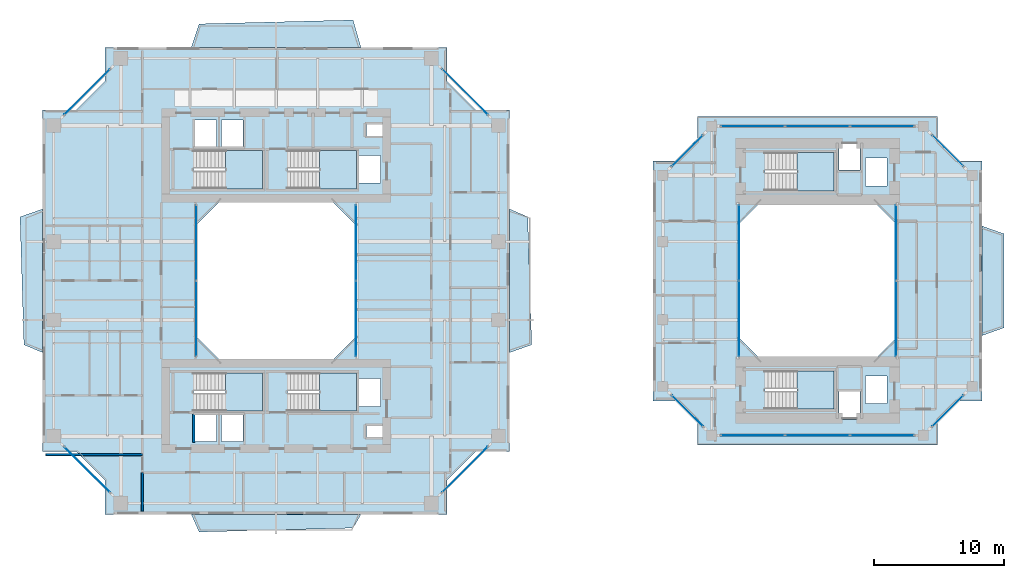
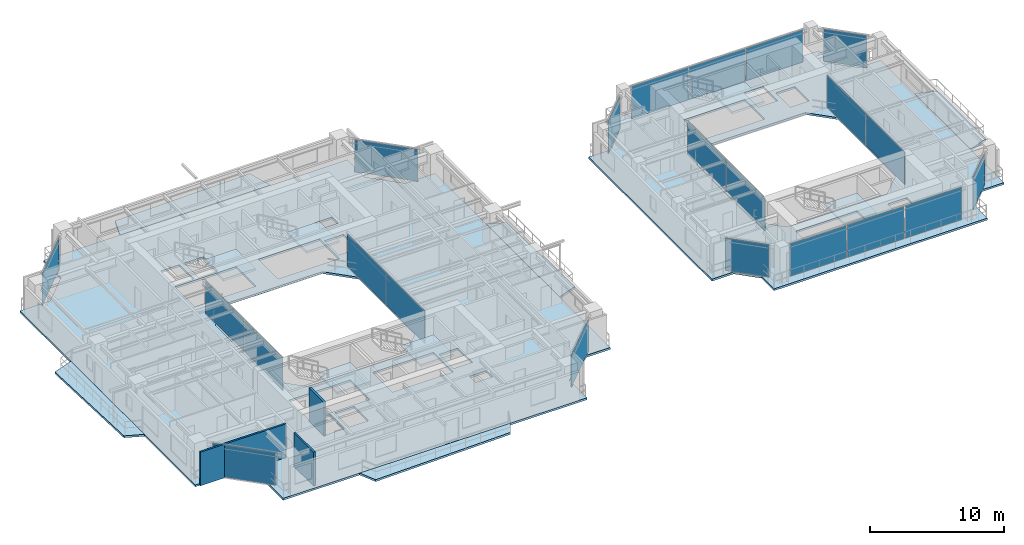
# One storey, part 13 of 24: 22 plates, 13 slabs, 3 walls, 20 elements without a shape of their own.
"""IFC4 building model written with IfcOpenShell, lengths in metres."""

from ifc_helpers import new_model, si_unit, direction, frame, frame_2d, origin, origin_2d, place, context, subcontext, project, spatial, polyline, rectangle, outline, extrude, source, transform, mapped, material, layer, layer_set, type_object, element, aggregate, save


model = new_model("IFC4")

# Units and contexts
model_context = context("Model", 3, precision=1e-05, world=origin(), true_north=direction((0.0, 1.0)))
body_context = subcontext(model_context, "Body", "Model", "MODEL_VIEW")
ifc_project = project(units=[si_unit("LENGTHUNIT", "METRE"), si_unit("AREAUNIT", "SQUARE_METRE"), si_unit("VOLUMEUNIT", "CUBIC_METRE"), si_unit("PLANEANGLEUNIT", "RADIAN"), si_unit("MASSUNIT", "GRAM", prefix="KILO"), si_unit("THERMODYNAMICTEMPERATUREUNIT", "KELVIN"), si_unit("POWERUNIT", "WATT")], contexts=[model_context])

# Site, building, storey
site_placement = place(None, origin())
site = spatial("IfcSite", under=ifc_project, at=site_placement, CompositionType="ELEMENT")
building_placement = place(site_placement, origin())
building = spatial("IfcBuilding", under=site, at=building_placement, Name="Qiaomeng Ring Towers", CompositionType="ELEMENT")
storey_placement = place(building_placement, frame((0.0, 0.0, 106.75)))
storey = spatial("IfcBuildingStorey", under=building, at=storey_placement, Name="L30", CompositionType="ELEMENT", Elevation=106.75)

# Slabs
ifc_material_1 = material(Name="Concrete C40", Category="concrete")
ifc_layer_1 = layer(ifc_material_1, 0.179931640625, Name="Concrete C40")
ifc_layer_set_1 = layer_set([ifc_layer_1], Name="Concrete C40")
slab_type_1 = type_object("IfcSlabType", Name="STR-SL-180", PredefinedType="FLOOR", material=ifc_layer_set_1)
slab_1_placement = place(storey_placement, frame((0.0, 0.0, -0.179931640625)))
element("IfcSlab", 1, at=slab_1_placement, inside=storey, type_object=slab_type_1, Name="L30 Tower 1 Annular Floor Slab", PredefinedType="FLOOR", context=body_context, shape_type="SweptSolid", body=[
    extrude(outline(polyline([(5.89990234375, 5.10009765625), (32.10009765625, 5.10009765625), (32.10009765625, 7.699951171875), (34.300048828125, 9.89990234375), (36.89990234375, 9.89990234375), (36.89990234375, 36.10009765625), (34.300048828125, 36.10009765625), (32.10009765625, 38.300048828125), (32.10009765625, 40.89990234375), (5.89990234375, 40.89990234375), (5.89990234375, 38.300048828125), (3.699951171875, 36.10009765625), (1.10009765625, 36.10009765625), (1.10009765625, 9.89990234375), (3.699951171875, 9.89990234375), (5.89990234375, 7.699951171875), (5.89990234375, 5.10009765625)]), holes=[polyline([(12.780029296875, 10.679931640625), (12.780029296875, 12.820068359375), (14.419921875, 12.820068359375), (14.419921875, 10.679931640625), (12.780029296875, 10.679931640625)]), polyline([(14.830078125, 12.820068359375), (16.469970703125, 12.820068359375), (16.469970703125, 10.679931640625), (14.830078125, 10.679931640625), (14.830078125, 12.820068359375)]), polyline([(12.679931640625, 15.949951171875), (17.949951171875, 15.949951171875), (17.949951171875, 13.010009765625), (12.679931640625, 13.010009765625), (12.679931640625, 15.949951171875)]), polyline([(23.199951171875, 29.199951171875), (25.199951171875, 27.199951171875), (25.199951171875, 18.800048828125), (23.199951171875, 16.800048828125), (14.800048828125, 16.800048828125), (12.800048828125, 18.800048828125), (12.800048828125, 27.199951171875), (14.800048828125, 29.199951171875), (23.199951171875, 29.199951171875)]), polyline([(12.679931640625, 32.989990234375), (17.949951171875, 32.989990234375), (17.949951171875, 30.050048828125), (12.679931640625, 30.050048828125), (12.679931640625, 32.989990234375)]), polyline([(12.780029296875, 35.320068359375), (14.419921875, 35.320068359375), (14.419921875, 33.179931640625), (12.780029296875, 33.179931640625), (12.780029296875, 35.320068359375)]), polyline([(14.830078125, 33.179931640625), (14.830078125, 35.320068359375), (16.469970703125, 35.320068359375), (16.469970703125, 33.179931640625), (14.830078125, 33.179931640625)]), polyline([(25.919921875, 11.89990234375), (27.360107421875, 11.89990234375), (27.360107421875, 11.0), (25.919921875, 11.0), (25.919921875, 11.89990234375)]), polyline([(25.360107421875, 15.52001953125), (27.0, 15.52001953125), (27.0, 13.3798828125), (25.360107421875, 13.3798828125), (25.360107421875, 15.52001953125)]), polyline([(19.8798828125, 15.949951171875), (25.14990234375, 15.949951171875), (25.14990234375, 13.010009765625), (19.8798828125, 13.010009765625), (19.8798828125, 15.949951171875)]), polyline([(19.8798828125, 32.989990234375), (25.14990234375, 32.989990234375), (25.14990234375, 30.050048828125), (19.8798828125, 30.050048828125), (19.8798828125, 32.989990234375)]), polyline([(25.360107421875, 32.6201171875), (27.0, 32.6201171875), (27.0, 30.47998046875), (25.360107421875, 30.47998046875), (25.360107421875, 32.6201171875)]), polyline([(25.919921875, 35.0), (27.360107421875, 35.0), (27.360107421875, 34.10009765625), (25.919921875, 34.10009765625), (25.919921875, 35.0)])]), origin(), (0.0, 0.0, 1.0), 0.179931640625),
])
slab_2_placement = place(storey_placement, frame((0.0, 0.0, -0.179931640625)))
element("IfcSlab", 2, at=slab_2_placement, inside=storey, type_object=slab_type_1, Name="L30 Companion Tower 2 Annular Floor Slab", PredefinedType="FLOOR", context=body_context, shape_type="SweptSolid", body=[
    extrude(outline(polyline([(51.300048828125, 10.39990234375), (69.699951171875, 10.39990234375), (69.699951171875, 12.300048828125), (71.199951171875, 13.800048828125), (73.10009765625, 13.800048828125), (73.10009765625, 32.199951171875), (71.199951171875, 32.199951171875), (69.699951171875, 33.699951171875), (69.699951171875, 35.60009765625), (51.300048828125, 35.60009765625), (51.300048828125, 33.699951171875), (49.800048828125, 32.199951171875), (47.89990234375, 32.199951171875), (47.89990234375, 13.800048828125), (49.800048828125, 13.800048828125), (51.300048828125, 12.300048828125), (51.300048828125, 10.39990234375)]), holes=[polyline([(62.1298828125, 12.3798828125), (62.1298828125, 14.52001953125), (63.77001953125, 14.52001953125), (63.77001953125, 12.3798828125), (62.1298828125, 12.3798828125)]), polyline([(56.47998046875, 13.159912109375), (56.47998046875, 16.10009765625), (61.75, 16.10009765625), (61.75, 13.159912109375), (56.47998046875, 13.159912109375)]), polyline([(64.179931640625, 13.580078125), (64.179931640625, 15.719970703125), (65.820068359375, 15.719970703125), (65.820068359375, 13.580078125), (64.179931640625, 13.580078125)]), polyline([(64.800048828125, 29.10009765625), (66.60009765625, 27.300048828125), (66.60009765625, 18.699951171875), (64.800048828125, 16.89990234375), (56.199951171875, 16.89990234375), (54.39990234375, 18.699951171875), (54.39990234375, 27.300048828125), (56.199951171875, 29.10009765625), (64.800048828125, 29.10009765625)]), polyline([(64.179931640625, 30.280029296875), (64.179931640625, 32.419921875), (65.820068359375, 32.419921875), (65.820068359375, 30.280029296875), (64.179931640625, 30.280029296875)]), polyline([(56.47998046875, 32.840087890625), (61.75, 32.840087890625), (61.75, 29.89990234375), (56.47998046875, 29.89990234375), (56.47998046875, 32.840087890625)]), polyline([(62.1298828125, 33.6201171875), (63.77001953125, 33.6201171875), (63.77001953125, 31.47998046875), (62.1298828125, 31.47998046875), (62.1298828125, 33.6201171875)])]), origin(), (0.0, 0.0, 1.0), 0.179931640625),
])
ifc_layer_2 = layer(ifc_material_1, 0.179931640625, Name="Concrete C40")
ifc_layer_set_2 = layer_set([ifc_layer_2], Name="Concrete C40")
slab_type_2 = type_object("IfcSlabType", Name="STR-SL-BAL", PredefinedType="FLOOR", material=ifc_layer_set_2)
slab_3_placement = place(storey_placement, frame((0.0, 0.0, -0.179931640625)))
element("IfcSlab", 3, at=slab_3_placement, inside=storey, type_object=slab_type_2, Name="L30 Tower 1 S Faceted Balcony Slab", PredefinedType="FLOOR", context=body_context, shape_type="SweptSolid", body=[
    extrude(outline(polyline([(24.89990234375, 4.050048828125), (13.10009765625, 3.75), (12.5, 5.10009765625), (25.5, 5.10009765625), (24.89990234375, 4.050048828125)])), origin(), (0.0, 0.0, 1.0), 0.179931640625),
])
slab_4_placement = place(storey_placement, frame((0.0, 0.0, -0.179931640625)))
element("IfcSlab", 4, at=slab_4_placement, inside=storey, type_object=slab_type_2, Name="L30 Tower 1 E Faceted Balcony Slab", PredefinedType="FLOOR", context=body_context, shape_type="SweptSolid", body=[
    extrude(outline(polyline([(38.2900390625, 27.89990234375), (38.590087890625, 18.10009765625), (36.89990234375, 17.5), (36.89990234375, 28.5), (38.2900390625, 27.89990234375)])), origin(), (0.0, 0.0, 1.0), 0.179931640625),
])
slab_5_placement = place(storey_placement, frame((0.0, 0.0, -0.179931640625)))
element("IfcSlab", 5, at=slab_5_placement, inside=storey, type_object=slab_type_2, Name="L30 Tower 1 N Faceted Balcony Slab", PredefinedType="FLOOR", context=body_context, shape_type="SweptSolid", body=[
    extrude(outline(polyline([(12.5, 40.89990234375), (13.10009765625, 42.68994140625), (24.89990234375, 42.989990234375), (25.5, 40.89990234375), (12.5, 40.89990234375)])), origin(), (0.0, 0.0, 1.0), 0.179931640625),
])
slab_6_placement = place(storey_placement, frame((0.0, 0.0, -0.179931640625)))
element("IfcSlab", 6, at=slab_6_placement, inside=storey, type_object=slab_type_2, Name="L30 Tower 1 W Faceted Balcony Slab", PredefinedType="FLOOR", context=body_context, shape_type="SweptSolid", body=[
    extrude(outline(polyline([(-0.330078125, 18.10009765625), (-0.6298828125, 27.89990234375), (1.10009765625, 28.5), (1.10009765625, 17.5), (-0.330078125, 18.10009765625)])), origin(), (0.0, 0.0, 1.0), 0.179931640625),
])
slab_7_placement = place(storey_placement, frame((0.0, 0.0, -0.179931640625)))
element("IfcSlab", 7, at=slab_7_placement, inside=storey, type_object=slab_type_2, Name="L30 Companion East Faceted Balcony Slab", PredefinedType="FLOOR", context=body_context, shape_type="SweptSolid", body=[
    extrude(outline(polyline([(74.7900390625, 26.60009765625), (74.7900390625, 19.39990234375), (73.10009765625, 18.800048828125), (73.10009765625, 27.199951171875), (74.7900390625, 26.60009765625)])), origin(), (0.0, 0.0, 1.0), 0.179931640625),
])

# Stair, slab
ifc_material_2 = material(Name="Precast concrete C40", Category="concrete")
stair_type = type_object("IfcStairType", Name="ARC-ST-325", PredefinedType="HALF_TURN_STAIR", material=ifc_material_2)
stair_1_placement = place(storey_placement, origin())
stair_1 = element("IfcStair", 8, at=stair_1_placement, inside=storey, type_object=stair_type, Name="L30 Tower 1 North Stair 1", PredefinedType="HALF_TURN_STAIR")
ifc_layer_3 = layer(ifc_material_1, 0.199951171875, Name="Concrete C40")
ifc_layer_set_3 = layer_set([ifc_layer_3], Name="Concrete C40")
slab_type_3 = type_object("IfcSlabType", Name="STR-SL-LANDING", PredefinedType="LANDING", material=ifc_layer_set_3)
slab_8_placement = place(storey_placement, frame((0.0, 0.0, 1.425048828125)))
slab_8 = element("IfcSlab", 9, at=slab_8_placement, type_object=slab_type_3, Name="ST1 landing 1", PredefinedType="LANDING", context=body_context, shape_type="SweptSolid", body=[
    extrude(outline(polyline([(15.139892578125, 30.050048828125), (17.949951171875, 30.050048828125), (17.949951171875, 32.989990234375), (15.139892578125, 32.989990234375), (15.139892578125, 30.050048828125)])), origin(), (0.0, 0.0, 1.0), 0.199951171875),
])
aggregate(stair_1, [slab_8])

stair_2_placement = place(storey_placement, origin())
stair_2 = element("IfcStair", 10, at=stair_2_placement, inside=storey, type_object=stair_type, Name="L30 Tower 1 North Stair 2", PredefinedType="HALF_TURN_STAIR")
slab_9_placement = place(storey_placement, frame((0.0, 0.0, 1.425048828125)))
slab_9 = element("IfcSlab", 11, at=slab_9_placement, type_object=slab_type_3, Name="ST2 landing 1", PredefinedType="LANDING", context=body_context, shape_type="SweptSolid", body=[
    extrude(outline(polyline([(22.340087890625, 30.050048828125), (25.14990234375, 30.050048828125), (25.14990234375, 32.989990234375), (22.340087890625, 32.989990234375), (22.340087890625, 30.050048828125)])), origin(), (0.0, 0.0, 1.0), 0.199951171875),
])
aggregate(stair_2, [slab_9])

stair_3_placement = place(storey_placement, origin())
stair_3 = element("IfcStair", 12, at=stair_3_placement, inside=storey, type_object=stair_type, Name="L30 Tower 1 South Stair 3", PredefinedType="HALF_TURN_STAIR")
slab_10_placement = place(storey_placement, frame((0.0, 0.0, 1.425048828125)))
slab_10 = element("IfcSlab", 13, at=slab_10_placement, type_object=slab_type_3, Name="ST3 landing 1", PredefinedType="LANDING", context=body_context, shape_type="SweptSolid", body=[
    extrude(outline(polyline([(15.139892578125, 13.010009765625), (17.949951171875, 13.010009765625), (17.949951171875, 15.949951171875), (15.139892578125, 15.949951171875), (15.139892578125, 13.010009765625)])), origin(), (0.0, 0.0, 1.0), 0.199951171875),
])
aggregate(stair_3, [slab_10])

stair_4_placement = place(storey_placement, origin())
stair_4 = element("IfcStair", 14, at=stair_4_placement, inside=storey, type_object=stair_type, Name="L30 Tower 1 South Stair 4", PredefinedType="HALF_TURN_STAIR")
slab_11_placement = place(storey_placement, frame((0.0, 0.0, 1.425048828125)))
slab_11 = element("IfcSlab", 15, at=slab_11_placement, type_object=slab_type_3, Name="ST4 landing 1", PredefinedType="LANDING", context=body_context, shape_type="SweptSolid", body=[
    extrude(outline(polyline([(22.340087890625, 13.010009765625), (25.14990234375, 13.010009765625), (25.14990234375, 15.949951171875), (22.340087890625, 15.949951171875), (22.340087890625, 13.010009765625)])), origin(), (0.0, 0.0, 1.0), 0.199951171875),
])
aggregate(stair_4, [slab_11])

stair_5_placement = place(storey_placement, origin())
stair_5 = element("IfcStair", 16, at=stair_5_placement, inside=storey, type_object=stair_type, Name="L30 Companion North Stair 5", PredefinedType="HALF_TURN_STAIR")
slab_12_placement = place(storey_placement, frame((0.0, 0.0, 1.425048828125)))
slab_12 = element("IfcSlab", 17, at=slab_12_placement, type_object=slab_type_3, Name="ST5 landing 1", PredefinedType="LANDING", context=body_context, shape_type="SweptSolid", body=[
    extrude(outline(polyline([(58.93994140625, 29.89990234375), (61.75, 29.89990234375), (61.75, 32.840087890625), (58.93994140625, 32.840087890625), (58.93994140625, 29.89990234375)])), origin(), (0.0, 0.0, 1.0), 0.199951171875),
])
aggregate(stair_5, [slab_12])

stair_6_placement = place(storey_placement, origin())
stair_6 = element("IfcStair", 18, at=stair_6_placement, inside=storey, type_object=stair_type, Name="L30 Companion South Stair 6", PredefinedType="HALF_TURN_STAIR")
slab_13_placement = place(storey_placement, frame((0.0, 0.0, 1.425048828125)))
slab_13 = element("IfcSlab", 19, at=slab_13_placement, type_object=slab_type_3, Name="ST6 landing 1", PredefinedType="LANDING", context=body_context, shape_type="SweptSolid", body=[
    extrude(outline(polyline([(58.93994140625, 13.159912109375), (61.75, 13.159912109375), (61.75, 16.10009765625), (58.93994140625, 16.10009765625), (58.93994140625, 13.159912109375)])), origin(), (0.0, 0.0, 1.0), 0.199951171875),
])
aggregate(stair_6, [slab_13])

# Curtain wall, plates
ifc_material_3 = material(Name="Fluorocarbon dark-grey aluminium", Category="aluminium")
ifc_layer_4 = layer(ifc_material_3, 0.139892578125, Name="Fluorocarbon dark-grey aluminium")
ifc_layer_set_4 = layer_set([ifc_layer_4], Name="Fluorocarbon dark-grey aluminium")
curtain_wall_type_1 = type_object("IfcCurtainWallType", Name="ARC-CW-4", PredefinedType="NOTDEFINED", material=ifc_layer_set_4)
curtain_wall_1_placement = place(storey_placement, origin())
curtain_wall_1 = element("IfcCurtainWall", 20, at=curtain_wall_1_placement, inside=storey, type_object=curtain_wall_type_1, Name="L30 Curtain Wall CW4", PredefinedType="NOTDEFINED")
ifc_material_4 = material(Name="Low-E dark-grey laminated double glazing", Category="glass")
ifc_layer_5 = layer(ifc_material_4, 0.028076171875, Name="Low-E dark-grey laminated double glazing")
ifc_layer_set_5 = layer_set([ifc_layer_5], Name="Low-E dark-grey laminated double glazing")
plate_type = type_object("IfcPlateType", Name="ARC-CWP-DARK", PredefinedType="CURTAIN_PANEL", material=ifc_layer_set_5)
shared_shape_1 = source(origin(), body_context, "Body", "SweptSolid", [
    extrude(rectangle(XDim=5.75244140625, YDim=0.028076171875, at=origin_2d()), origin(), (0.0, 0.0, 1.0), 2.93994140625),
])
plate_1_placement = place(storey_placement, frame((12.8798828125, 20.09130859375, 0.06494140625), z_axis=(0.0, 0.0, 1.0), x_axis=(0.0, 1.0, 0.0)))
plate_1 = element("IfcPlate", 21, at=plate_1_placement, type_object=plate_type, Name="CW4 panel 1.1", PredefinedType="CURTAIN_PANEL", context=body_context, shape_type="MappedRepresentation", body=[
    mapped(shared_shape_1, transform((0.0, 0.0, 0.0), x_axis=(1.0, 0.0, 0.0), y_axis=(0.0, 1.0, 0.0), z_axis=(0.0, 0.0, 1.0), scale=1.0)),
])
plate_2_placement = place(storey_placement, frame((12.8798828125, 25.90869140625, 0.06494140625), z_axis=(0.0, 0.0, 1.0), x_axis=(0.0, 1.0, 0.0)))
plate_2 = element("IfcPlate", 22, at=plate_2_placement, type_object=plate_type, Name="CW4 panel 2.1", PredefinedType="CURTAIN_PANEL", context=body_context, shape_type="MappedRepresentation", body=[
    mapped(shared_shape_1, transform((0.0, 0.0, 0.0), x_axis=(1.0, 0.0, 0.0), y_axis=(0.0, 1.0, 0.0), z_axis=(0.0, 0.0, 1.0), scale=1.0)),
])
aggregate(curtain_wall_1, [plate_1, plate_2])

curtain_wall_2_placement = place(storey_placement, origin())
curtain_wall_2 = element("IfcCurtainWall", 23, at=curtain_wall_2_placement, inside=storey, type_object=curtain_wall_type_1, Name="L30 Curtain Wall CW4", PredefinedType="NOTDEFINED")
plate_3_placement = place(storey_placement, frame((25.1201171875, 20.09130859375, 0.06494140625), z_axis=(0.0, 0.0, 1.0), x_axis=(0.0, 1.0, 0.0)))
plate_3 = element("IfcPlate", 24, at=plate_3_placement, type_object=plate_type, Name="CW4 panel 1.1", PredefinedType="CURTAIN_PANEL", context=body_context, shape_type="MappedRepresentation", body=[
    mapped(shared_shape_1, transform((0.0, 0.0, 0.0), x_axis=(1.0, 0.0, 0.0), y_axis=(0.0, 1.0, 0.0), z_axis=(0.0, 0.0, 1.0), scale=1.0)),
])
plate_4_placement = place(storey_placement, frame((25.1201171875, 25.90869140625, 0.06494140625), z_axis=(0.0, 0.0, 1.0), x_axis=(0.0, 1.0, 0.0)))
plate_4 = element("IfcPlate", 25, at=plate_4_placement, type_object=plate_type, Name="CW4 panel 2.1", PredefinedType="CURTAIN_PANEL", context=body_context, shape_type="MappedRepresentation", body=[
    mapped(shared_shape_1, transform((0.0, 0.0, 0.0), x_axis=(1.0, 0.0, 0.0), y_axis=(0.0, 1.0, 0.0), z_axis=(0.0, 0.0, 1.0), scale=1.0)),
])
aggregate(curtain_wall_2, [plate_3, plate_4])

curtain_wall_3_placement = place(storey_placement, origin())
curtain_wall_3 = element("IfcCurtainWall", 26, at=curtain_wall_3_placement, inside=storey, type_object=curtain_wall_type_1, Name="L30 Curtain Wall CW4", PredefinedType="NOTDEFINED")
plate_5_placement = place(storey_placement, frame((54.47998046875, 20.09130859375, 0.06494140625), z_axis=(0.0, 0.0, 1.0), x_axis=(0.0, 1.0, 0.0)))
plate_5 = element("IfcPlate", 27, at=plate_5_placement, type_object=plate_type, Name="CW4 panel 1.1", PredefinedType="CURTAIN_PANEL", context=body_context, shape_type="MappedRepresentation", body=[
    mapped(shared_shape_1, transform((0.0, 0.0, 0.0), x_axis=(1.0, 0.0, 0.0), y_axis=(0.0, 1.0, 0.0), z_axis=(0.0, 0.0, 1.0), scale=1.0)),
])
plate_6_placement = place(storey_placement, frame((54.47998046875, 25.90869140625, 0.06494140625), z_axis=(0.0, 0.0, 1.0), x_axis=(0.0, 1.0, 0.0)))
plate_6 = element("IfcPlate", 28, at=plate_6_placement, type_object=plate_type, Name="CW4 panel 2.1", PredefinedType="CURTAIN_PANEL", context=body_context, shape_type="MappedRepresentation", body=[
    mapped(shared_shape_1, transform((0.0, 0.0, 0.0), x_axis=(1.0, 0.0, 0.0), y_axis=(0.0, 1.0, 0.0), z_axis=(0.0, 0.0, 1.0), scale=1.0)),
])
aggregate(curtain_wall_3, [plate_5, plate_6])

curtain_wall_4_placement = place(storey_placement, origin())
curtain_wall_4 = element("IfcCurtainWall", 29, at=curtain_wall_4_placement, inside=storey, type_object=curtain_wall_type_1, Name="L30 Curtain Wall CW4", PredefinedType="NOTDEFINED")
plate_7_placement = place(storey_placement, frame((66.52001953125, 20.09130859375, 0.06494140625), z_axis=(0.0, 0.0, 1.0), x_axis=(0.0, 1.0, 0.0)))
plate_7 = element("IfcPlate", 30, at=plate_7_placement, type_object=plate_type, Name="CW4 panel 1.1", PredefinedType="CURTAIN_PANEL", context=body_context, shape_type="MappedRepresentation", body=[
    mapped(shared_shape_1, transform((0.0, 0.0, 0.0), x_axis=(1.0, 0.0, 0.0), y_axis=(0.0, 1.0, 0.0), z_axis=(0.0, 0.0, 1.0), scale=1.0)),
])
plate_8_placement = place(storey_placement, frame((66.52001953125, 25.90869140625, 0.06494140625), z_axis=(0.0, 0.0, 1.0), x_axis=(0.0, 1.0, 0.0)))
plate_8 = element("IfcPlate", 31, at=plate_8_placement, type_object=plate_type, Name="CW4 panel 2.1", PredefinedType="CURTAIN_PANEL", context=body_context, shape_type="MappedRepresentation", body=[
    mapped(shared_shape_1, transform((0.0, 0.0, 0.0), x_axis=(1.0, 0.0, 0.0), y_axis=(0.0, 1.0, 0.0), z_axis=(0.0, 0.0, 1.0), scale=1.0)),
])
aggregate(curtain_wall_4, [plate_7, plate_8])

ifc_layer_6 = layer(ifc_material_3, 0.14990234375, Name="Fluorocarbon dark-grey aluminium")
ifc_layer_set_6 = layer_set([ifc_layer_6], Name="Fluorocarbon dark-grey aluminium")
curtain_wall_type_2 = type_object("IfcCurtainWallType", Name="ARC-CW-5", PredefinedType="NOTDEFINED", material=ifc_layer_set_6)
curtain_wall_5_placement = place(storey_placement, origin())
curtain_wall_5 = element("IfcCurtainWall", 32, at=curtain_wall_5_placement, inside=storey, type_object=curtain_wall_type_2, Name="L30 Curtain Wall CW5", PredefinedType="NOTDEFINED")
shared_shape_2 = source(origin(), body_context, "Body", "SweptSolid", [
    extrude(rectangle(XDim=4.868408203125, YDim=0.028076171875, at=origin_2d()), origin(), (0.0, 0.0, 1.0), 2.93994140625),
])
plate_9_placement = place(storey_placement, frame((55.544189453125, 34.85009765625, 0.06494140625), z_axis=(0.0, 0.0, 1.0), x_axis=(1.0, 0.0, 0.0)))
plate_9 = element("IfcPlate", 33, at=plate_9_placement, type_object=plate_type, Name="CW5 panel 1.1", PredefinedType="CURTAIN_PANEL", context=body_context, shape_type="MappedRepresentation", body=[
    mapped(shared_shape_2, transform((0.0, 0.0, 0.0), x_axis=(1.0, 0.0, 0.0), y_axis=(0.0, 1.0, 0.0), z_axis=(0.0, 0.0, 1.0), scale=1.0)),
])
plate_10_placement = place(storey_placement, frame((65.455810546875, 34.85009765625, 0.06494140625), z_axis=(0.0, 0.0, 1.0), x_axis=(1.0, 0.0, 0.0)))
plate_10 = element("IfcPlate", 34, at=plate_10_placement, type_object=plate_type, Name="CW5 panel 3.1", PredefinedType="CURTAIN_PANEL", context=body_context, shape_type="MappedRepresentation", body=[
    mapped(shared_shape_2, transform((0.0, 0.0, 0.0), x_axis=(1.0, 0.0, 0.0), y_axis=(0.0, 1.0, 0.0), z_axis=(0.0, 0.0, 1.0), scale=1.0)),
])

curtain_wall_6_placement = place(storey_placement, origin())
curtain_wall_6 = element("IfcCurtainWall", 35, at=curtain_wall_6_placement, inside=storey, type_object=curtain_wall_type_2, Name="L30 Curtain Wall CW5", PredefinedType="NOTDEFINED")
plate_11_placement = place(storey_placement, frame((55.544189453125, 11.14990234375, 0.06494140625), z_axis=(0.0, 0.0, 1.0), x_axis=(1.0, 0.0, 0.0)))
plate_11 = element("IfcPlate", 36, at=plate_11_placement, type_object=plate_type, Name="CW5 panel 1.1", PredefinedType="CURTAIN_PANEL", context=body_context, shape_type="MappedRepresentation", body=[
    mapped(shared_shape_2, transform((0.0, 0.0, 0.0), x_axis=(1.0, 0.0, 0.0), y_axis=(0.0, 1.0, 0.0), z_axis=(0.0, 0.0, 1.0), scale=1.0)),
])
plate_12_placement = place(storey_placement, frame((65.455810546875, 11.14990234375, 0.06494140625), z_axis=(0.0, 0.0, 1.0), x_axis=(1.0, 0.0, 0.0)))
plate_12 = element("IfcPlate", 37, at=plate_12_placement, type_object=plate_type, Name="CW5 panel 3.1", PredefinedType="CURTAIN_PANEL", context=body_context, shape_type="MappedRepresentation", body=[
    mapped(shared_shape_2, transform((0.0, 0.0, 0.0), x_axis=(1.0, 0.0, 0.0), y_axis=(0.0, 1.0, 0.0), z_axis=(0.0, 0.0, 1.0), scale=1.0)),
])

# Plate
shared_shape_3 = source(origin(), body_context, "Body", "SweptSolid", [
    extrude(rectangle(XDim=4.9033203125, YDim=0.028076171875, at=origin_2d()), origin(), (0.0, 0.0, 1.0), 2.93994140625),
])
plate_13_placement = place(storey_placement, frame((60.5, 34.85009765625, 0.06494140625), z_axis=(0.0, 0.0, 1.0), x_axis=(1.0, 0.0, 0.0)))
plate_13 = element("IfcPlate", 38, at=plate_13_placement, type_object=plate_type, Name="CW5 panel 2.1", PredefinedType="CURTAIN_PANEL", context=body_context, shape_type="MappedRepresentation", body=[
    mapped(shared_shape_3, transform((0.0, 0.0, 0.0), x_axis=(1.0, 0.0, 0.0), y_axis=(0.0, 1.0, 0.0), z_axis=(0.0, 0.0, 1.0), scale=1.0)),
])

aggregate(curtain_wall_5, [plate_9, plate_13, plate_10])

plate_14_placement = place(storey_placement, frame((60.5, 11.14990234375, 0.06494140625), z_axis=(0.0, 0.0, 1.0), x_axis=(1.0, 0.0, 0.0)))
plate_14 = element("IfcPlate", 39, at=plate_14_placement, type_object=plate_type, Name="CW5 panel 2.1", PredefinedType="CURTAIN_PANEL", context=body_context, shape_type="MappedRepresentation", body=[
    mapped(shared_shape_3, transform((0.0, 0.0, 0.0), x_axis=(1.0, 0.0, 0.0), y_axis=(0.0, 1.0, 0.0), z_axis=(0.0, 0.0, 1.0), scale=1.0)),
])

aggregate(curtain_wall_6, [plate_11, plate_14, plate_12])

# Curtain wall, plate
curtain_wall_7_placement = place(storey_placement, origin())
curtain_wall_7 = element("IfcCurtainWall", 40, at=curtain_wall_7_placement, inside=storey, type_object=curtain_wall_type_2, Name="L30 Curtain Wall CW5", PredefinedType="NOTDEFINED")
shared_shape_4 = source(origin(), body_context, "Body", "SweptSolid", [
    extrude(rectangle(XDim=3.35302734375, YDim=0.028076171875, at=origin_2d()), origin(), (0.0, 0.0, 1.0), 2.93994140625),
])
plate_15_placement = place(storey_placement, frame((70.47509765625, 13.02490234375, 0.06494140625), z_axis=(0.0, 0.0, 1.0), x_axis=(0.707106781187, 0.707106781187, 0.0)))
plate_15 = element("IfcPlate", 41, at=plate_15_placement, type_object=plate_type, Name="CW5 panel 1.1", PredefinedType="CURTAIN_PANEL", context=body_context, shape_type="MappedRepresentation", body=[
    mapped(shared_shape_4, transform((0.0, 0.0, 0.0), x_axis=(1.0, 0.0, 0.0), y_axis=(0.0, 1.0, 0.0), z_axis=(0.0, 0.0, 1.0), scale=1.0)),
])
aggregate(curtain_wall_7, [plate_15])

curtain_wall_8_placement = place(storey_placement, origin())
curtain_wall_8 = element("IfcCurtainWall", 42, at=curtain_wall_8_placement, inside=storey, type_object=curtain_wall_type_2, Name="L30 Curtain Wall CW5", PredefinedType="NOTDEFINED")
plate_16_placement = place(storey_placement, frame((70.47509765625, 32.97509765625, 0.06494140625), z_axis=(0.0, 0.0, 1.0), x_axis=(-0.707106781187, 0.707106781187, 0.0)))
plate_16 = element("IfcPlate", 43, at=plate_16_placement, type_object=plate_type, Name="CW5 panel 1.1", PredefinedType="CURTAIN_PANEL", context=body_context, shape_type="MappedRepresentation", body=[
    mapped(shared_shape_4, transform((0.0, 0.0, 0.0), x_axis=(1.0, 0.0, 0.0), y_axis=(0.0, 1.0, 0.0), z_axis=(0.0, 0.0, 1.0), scale=1.0)),
])
aggregate(curtain_wall_8, [plate_16])

curtain_wall_9_placement = place(storey_placement, origin())
curtain_wall_9 = element("IfcCurtainWall", 44, at=curtain_wall_9_placement, inside=storey, type_object=curtain_wall_type_2, Name="L30 Curtain Wall CW5", PredefinedType="NOTDEFINED")
plate_17_placement = place(storey_placement, frame((50.52490234375, 32.97509765625, 0.06494140625), z_axis=(0.0, 0.0, 1.0), x_axis=(-0.707106781187, -0.707106781187, 0.0)))
plate_17 = element("IfcPlate", 45, at=plate_17_placement, type_object=plate_type, Name="CW5 panel 1.1", PredefinedType="CURTAIN_PANEL", context=body_context, shape_type="MappedRepresentation", body=[
    mapped(shared_shape_4, transform((0.0, 0.0, 0.0), x_axis=(1.0, 0.0, 0.0), y_axis=(0.0, 1.0, 0.0), z_axis=(0.0, 0.0, 1.0), scale=1.0)),
])
aggregate(curtain_wall_9, [plate_17])

curtain_wall_10_placement = place(storey_placement, origin())
curtain_wall_10 = element("IfcCurtainWall", 46, at=curtain_wall_10_placement, inside=storey, type_object=curtain_wall_type_2, Name="L30 Curtain Wall CW5", PredefinedType="NOTDEFINED")
plate_18_placement = place(storey_placement, frame((50.52490234375, 13.02490234375, 0.06494140625), z_axis=(0.0, 0.0, 1.0), x_axis=(0.707106781187, -0.707106781187, 0.0)))
plate_18 = element("IfcPlate", 47, at=plate_18_placement, type_object=plate_type, Name="CW5 panel 1.1", PredefinedType="CURTAIN_PANEL", context=body_context, shape_type="MappedRepresentation", body=[
    mapped(shared_shape_4, transform((0.0, 0.0, 0.0), x_axis=(1.0, 0.0, 0.0), y_axis=(0.0, 1.0, 0.0), z_axis=(0.0, 0.0, 1.0), scale=1.0)),
])
aggregate(curtain_wall_10, [plate_18])

ifc_layer_7 = layer(ifc_material_3, 0.14990234375, Name="Fluorocarbon dark-grey aluminium")
ifc_layer_set_7 = layer_set([ifc_layer_7], Name="Fluorocarbon dark-grey aluminium")
curtain_wall_type_3 = type_object("IfcCurtainWallType", Name="ARC-CW-3", PredefinedType="NOTDEFINED", material=ifc_layer_set_7)
curtain_wall_11_placement = place(storey_placement, origin())
curtain_wall_11 = element("IfcCurtainWall", 48, at=curtain_wall_11_placement, inside=storey, type_object=curtain_wall_type_3, Name="L30 Curtain Wall CW3", PredefinedType="NOTDEFINED")
shared_shape_5 = source(origin(), body_context, "Body", "SweptSolid", [
    extrude(rectangle(XDim=4.90869140625, YDim=0.028076171875, at=origin_2d()), origin(), (0.0, 0.0, 1.0), 2.93994140625),
])
plate_19_placement = place(storey_placement, frame((33.47509765625, 8.52490234375, 0.06494140625), z_axis=(0.0, 0.0, 1.0), x_axis=(0.707106781187, 0.707106781187, 0.0)))
plate_19 = element("IfcPlate", 49, at=plate_19_placement, type_object=plate_type, Name="CW3 panel 1.1", PredefinedType="CURTAIN_PANEL", context=body_context, shape_type="MappedRepresentation", body=[
    mapped(shared_shape_5, transform((0.0, 0.0, 0.0), x_axis=(1.0, 0.0, 0.0), y_axis=(0.0, 1.0, 0.0), z_axis=(0.0, 0.0, 1.0), scale=1.0)),
])
aggregate(curtain_wall_11, [plate_19])

curtain_wall_12_placement = place(storey_placement, origin())
curtain_wall_12 = element("IfcCurtainWall", 50, at=curtain_wall_12_placement, inside=storey, type_object=curtain_wall_type_3, Name="L30 Curtain Wall CW3", PredefinedType="NOTDEFINED")
plate_20_placement = place(storey_placement, frame((33.47509765625, 37.47509765625, 0.06494140625), z_axis=(0.0, 0.0, 1.0), x_axis=(-0.707106781187, 0.707106781187, 0.0)))
plate_20 = element("IfcPlate", 51, at=plate_20_placement, type_object=plate_type, Name="CW3 panel 1.1", PredefinedType="CURTAIN_PANEL", context=body_context, shape_type="MappedRepresentation", body=[
    mapped(shared_shape_5, transform((0.0, 0.0, 0.0), x_axis=(1.0, 0.0, 0.0), y_axis=(0.0, 1.0, 0.0), z_axis=(0.0, 0.0, 1.0), scale=1.0)),
])
aggregate(curtain_wall_12, [plate_20])

curtain_wall_13_placement = place(storey_placement, origin())
curtain_wall_13 = element("IfcCurtainWall", 52, at=curtain_wall_13_placement, inside=storey, type_object=curtain_wall_type_3, Name="L30 Curtain Wall CW3", PredefinedType="NOTDEFINED")
plate_21_placement = place(storey_placement, frame((4.52490234375, 37.47509765625, 0.06494140625), z_axis=(0.0, 0.0, 1.0), x_axis=(-0.707106781187, -0.707106781187, 0.0)))
plate_21 = element("IfcPlate", 53, at=plate_21_placement, type_object=plate_type, Name="CW3 panel 1.1", PredefinedType="CURTAIN_PANEL", context=body_context, shape_type="MappedRepresentation", body=[
    mapped(shared_shape_5, transform((0.0, 0.0, 0.0), x_axis=(1.0, 0.0, 0.0), y_axis=(0.0, 1.0, 0.0), z_axis=(0.0, 0.0, 1.0), scale=1.0)),
])
aggregate(curtain_wall_13, [plate_21])

curtain_wall_14_placement = place(storey_placement, origin())
curtain_wall_14 = element("IfcCurtainWall", 54, at=curtain_wall_14_placement, inside=storey, type_object=curtain_wall_type_3, Name="L30 Curtain Wall CW3", PredefinedType="NOTDEFINED")
plate_22_placement = place(storey_placement, frame((4.52490234375, 8.52490234375, 0.06494140625), z_axis=(0.0, 0.0, 1.0), x_axis=(0.707106781187, -0.707106781187, 0.0)))
plate_22 = element("IfcPlate", 55, at=plate_22_placement, type_object=plate_type, Name="CW3 panel 1.1", PredefinedType="CURTAIN_PANEL", context=body_context, shape_type="MappedRepresentation", body=[
    mapped(shared_shape_5, transform((0.0, 0.0, 0.0), x_axis=(1.0, 0.0, 0.0), y_axis=(0.0, 1.0, 0.0), z_axis=(0.0, 0.0, 1.0), scale=1.0)),
])
aggregate(curtain_wall_14, [plate_22])

# Walls
ifc_material_5 = material(Name="Autoclaved aerated concrete block", Category="concrete")
ifc_layer_8 = layer(ifc_material_5, 0.199951171875, Name="Autoclaved aerated concrete block")
ifc_layer_set_8 = layer_set([ifc_layer_8], Name="Autoclaved aerated concrete block")
wall_type_1 = type_object("IfcWallType", Name="ARC-WL-PW1", PredefinedType="PARTITIONING", material=ifc_layer_set_8)
wall_1_placement = place(storey_placement, frame((12.679931640625, 10.60009765625, 0.0), z_axis=(0.0, 0.0, 1.0), x_axis=(0.0, 1.0, 0.0)))
element("IfcWall", 56, at=wall_1_placement, inside=storey, type_object=wall_type_1, Name="L30 Interior Wall PW1", PredefinedType="PARTITIONING", context=body_context, shape_type="SweptSolid", body=[
    extrude(rectangle(XDim=2.2099609375, YDim=0.199951171875, at=frame_2d((1.10498046875, 0.0))), origin(), (0.0, 0.0, 1.0), 3.070068359375),
])
ifc_material_6 = material(Name="Gypsum fireboard steel-stud partition", Category="steel")
ifc_layer_9 = layer(ifc_material_6, 0.14990234375, Name="Gypsum fireboard steel-stud partition")
ifc_layer_set_9 = layer_set([ifc_layer_9], Name="Gypsum fireboard steel-stud partition")
wall_type_2 = type_object("IfcWallType", Name="ARC-WL-PW3", PredefinedType="PARTITIONING", material=ifc_layer_set_9)
wall_2_placement = place(storey_placement, frame((8.75, 5.35009765625, 0.0), z_axis=(0.0, 0.0, 1.0), x_axis=(0.0, 1.0, 0.0)))
element("IfcWall", 57, at=wall_2_placement, inside=storey, type_object=wall_type_2, Name="L30 Interior Wall PW3", PredefinedType="PARTITIONING", context=body_context, shape_type="SweptSolid", body=[
    extrude(rectangle(XDim=2.949951171875, YDim=0.14990234375, at=frame_2d((1.47509765625, 0.0))), origin(), (0.0, 0.0, 1.0), 3.070068359375),
])
wall_3_placement = place(storey_placement, frame((1.35009765625, 9.669921875, 0.0), z_axis=(0.0, 0.0, 1.0), x_axis=(1.0, 0.0, 0.0)))
element("IfcWall", 58, at=wall_3_placement, inside=storey, type_object=wall_type_2, Name="L30 Interior Wall PW3", PredefinedType="PARTITIONING", context=body_context, shape_type="SweptSolid", body=[
    extrude(rectangle(XDim=7.39990234375, YDim=0.14990234375, at=frame_2d((3.699951171875, 0.0))), origin(), (0.0, 0.0, 1.0), 3.070068359375),
])

save(model, "model.ifc")
